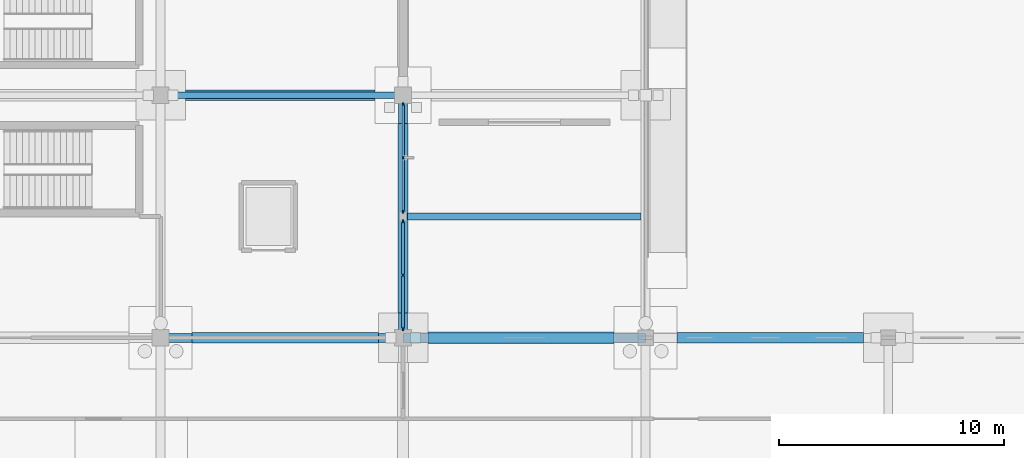
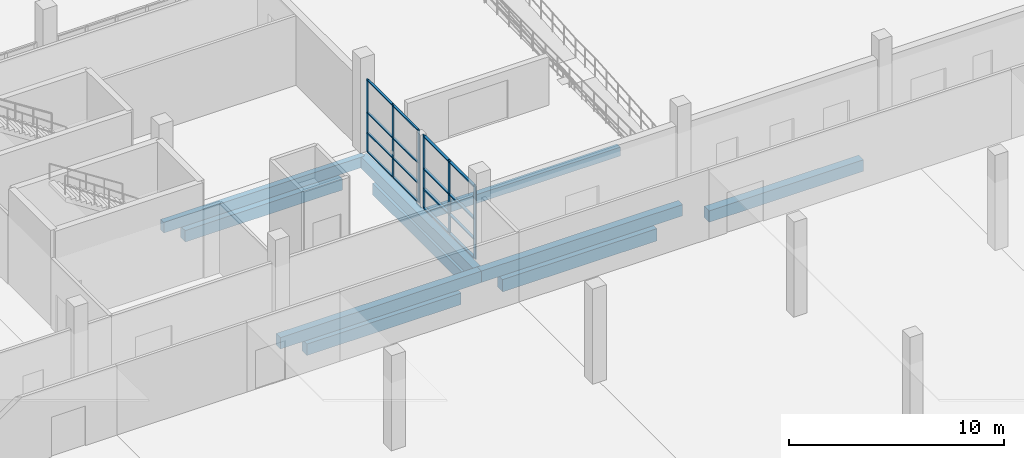
# One storey, part 65 of 138: 22 members, 10 beams, 2 elements without a shape of their own.
"""IFC4 building model written with IfcOpenShell, lengths in metres."""

import ifcopenshell
import ifcopenshell.guid

model = None  # the IFC model being written
_history = None  # IfcOwnerHistory: only IFC2X3 demands one
_inside = {}  # id of a spatial element -> (the spatial element, [elements in it])
_under = {}  # id of a project, library or spatial element -> (it, [spatial elements below it])
_declared = {}  # id of a project -> (the project, [libraries it declares])
_typed = {}  # id of a type object -> (the type object, [elements of that type])
_made_of = {}  # id of a material, layer set ... -> (it, [elements and type objects made of it])


def new_model(schema):
    """Start an empty IFC model of exactly this schema.

    Asked for "IFC4X3", IfcOpenShell would pick the latest addendum, in which some entities
    have other attributes; the version numbers below select the first issue.
    IFC2X3 requires an IfcOwnerHistory on every rooted entity: one is made here for all.
    """
    global model, _history
    if schema == "IFC4X3":
        model = ifcopenshell.file(schema_version=(4, 3, 0, 0))
    else:
        model = ifcopenshell.file(schema=schema)
    _inside.clear()
    _under.clear()
    _declared.clear()
    _typed.clear()
    _made_of.clear()
    _history = None
    if model.schema == "IFC2X3":
        org = make("IfcOrganization", Name="unknown")
        user = make(
            "IfcPersonAndOrganization",
            ThePerson=make("IfcPerson", FamilyName="unknown"),
            TheOrganization=org,
        )
        app = make(
            "IfcApplication",
            ApplicationDeveloper=org,
            Version="unknown",
            ApplicationFullName="unknown",
            ApplicationIdentifier="unknown",
        )
        _history = make(
            "IfcOwnerHistory",
            OwningUser=user,
            OwningApplication=app,
            ChangeAction="ADDED",
            CreationDate=0,
        )
    return model


def make(cls, **values):
    """One entity of the class cls with the attributes given. An attribute that is None is left unset."""
    return model.create_entity(
        cls, **{name: value for name, value in values.items() if value is not None}
    )


def rooted(cls, **values):
    """An entity with a GlobalId (a new one), such as an element, a storey or a relation."""
    return make(cls, GlobalId=ifcopenshell.guid.new(), OwnerHistory=_history, **values)


def si_unit(unit_type, name, prefix=None):
    """IfcSIUnit, for example si_unit("LENGTHUNIT", "METRE", prefix="MILLI")."""
    return make("IfcSIUnit", UnitType=unit_type, Prefix=prefix, Name=name)


def assignment(units):
    """IfcUnitAssignment: the units of a project."""
    return None if units is None else make("IfcUnitAssignment", Units=units)


def point(xyz):
    """IfcCartesianPoint."""
    return None if xyz is None else make("IfcCartesianPoint", Coordinates=xyz)


def direction(xyz):
    """IfcDirection."""
    return None if xyz is None else make("IfcDirection", DirectionRatios=xyz)


def frame(location, z_axis=None, x_axis=None):
    """IfcAxis2Placement3D, a coordinate frame: its origin and axes. An axis left out is left unset."""
    return make(
        "IfcAxis2Placement3D",
        Location=point(location),
        Axis=direction(z_axis),
        RefDirection=direction(x_axis),
    )


def frame_2d(location, x_axis=None):
    """IfcAxis2Placement2D, a coordinate frame in the plane: its origin and x axis."""
    return make(
        "IfcAxis2Placement2D", Location=point(location), RefDirection=direction(x_axis)
    )


def origin():
    """The frame at (0, 0, 0) with its axes left unset."""
    return frame((0.0, 0.0, 0.0))


def origin_2d():
    """The frame at (0, 0) in the plane with its x axis left unset."""
    return frame_2d((0.0, 0.0))


def place(relative_to, where):
    """IfcLocalPlacement: puts the frame where relative to a parent placement (None: the world)."""
    return make(
        "IfcLocalPlacement", PlacementRelTo=relative_to, RelativePlacement=where
    )


def context(
    kind, dimensions, precision=None, world=None, true_north=None, identifier=None
):
    """IfcGeometricRepresentationContext, for example the 3D "Model" context."""
    return make(
        "IfcGeometricRepresentationContext",
        ContextIdentifier=identifier,
        ContextType=kind,
        CoordinateSpaceDimension=dimensions,
        Precision=precision,
        WorldCoordinateSystem=world,
        TrueNorth=true_north,
    )


def subcontext(parent, identifier, kind, view, scale=None):
    """IfcGeometricRepresentationSubContext, for example "Body" below "Model"."""
    return make(
        "IfcGeometricRepresentationSubContext",
        ContextIdentifier=identifier,
        ContextType=kind,
        ParentContext=parent,
        TargetScale=scale,
        TargetView=view,
    )


def project(units=None, contexts=None):
    """IfcProject with its units and contexts."""
    return rooted(
        "IfcProject",
        Name="project",
        RepresentationContexts=contexts,
        UnitsInContext=assignment(units),
    )


def spatial(cls, under=None, at=None, **own):
    """A site, building, storey or space (cls), placed at a placement, below another one or the project."""
    s = rooted(cls, ObjectPlacement=at, **own)
    if under is not None:
        _under.setdefault(under.id(), (under, []))[1].append(s)
    return s


def profile(cls, at=None, kind="AREA", **sizes):
    """A parametric profile (cls). Its sizes go by their IFC names, for example OverallWidth=200.0."""
    return make(cls, ProfileType=kind, Position=at, **sizes)


def rectangle(**sizes):
    """IfcRectangleProfileDef."""
    return profile("IfcRectangleProfileDef", **sizes)


def extrude(swept, where, along, depth):
    """IfcExtrudedAreaSolid: the profile swept, set in the frame where, extruded along a direction by depth."""
    return make(
        "IfcExtrudedAreaSolid",
        SweptArea=swept,
        Position=where,
        ExtrudedDirection=direction(along),
        Depth=depth,
    )


def shape(context_of_items, identifier, shape_type, items):
    """IfcShapeRepresentation: the items that make up one representation, for example the "Body"."""
    return make(
        "IfcShapeRepresentation",
        ContextOfItems=context_of_items,
        RepresentationIdentifier=identifier,
        RepresentationType=shape_type,
        Items=items,
    )


def material(Name=None, Category=None):
    """IfcMaterial."""
    return make("IfcMaterial", Name=Name, Category=Category)


def material_profile(
    of_material, cross_section, Name=None, Category=None, Priority=None
):
    """IfcMaterialProfile: a cross section and its material."""
    return make(
        "IfcMaterialProfile",
        Name=Name,
        Material=of_material,
        Profile=cross_section,
        Priority=Priority,
        Category=Category,
    )


def profile_set(profiles, Name=None, composite=None):
    """IfcMaterialProfileSet."""
    return make(
        "IfcMaterialProfileSet",
        Name=Name,
        MaterialProfiles=profiles,
        CompositeProfile=composite,
    )


def made_of(thing, what):
    """Note that an element or type object is made of a material, layer set ...; save() writes the relation."""
    if what is not None:
        _made_of.setdefault(what.id(), (what, []))[1].append(thing)
    return thing


def type_object(cls, material=None, **own):
    """A type object (cls), such as IfcWallType, which elements share."""
    return made_of(rooted(cls, **own), material)


def element(
    cls,
    number,
    at=None,
    inside=None,
    cuts=None,
    type_object=None,
    material=None,
    context=None,
    identifier="Body",
    shape_type=None,
    held_by="IfcProductDefinitionShape",
    body=None,
    shapes=None,
    **own,
):
    """One element of the class cls, such as IfcWall. Its Tag is "e" and its number.

    at: its placement. inside: the storey or other place that contains it. cuts: it is an
    opening in that element (IfcRelVoidsElement). A single representation is given by context,
    identifier, shape_type and body (its items); several are given by shapes. held_by: the class
    of the entity that holds the representations. save() writes the other relations.
    """
    e = rooted(cls, Tag="e%d" % number, ObjectPlacement=at, **own)
    if body is not None:
        shapes = [shape(context, identifier, shape_type, body)]
    if shapes is not None:
        e.Representation = make(held_by, Representations=shapes)
    if inside is not None:
        _inside.setdefault(inside.id(), (inside, []))[1].append(e)
    if cuts is not None:
        rooted(
            "IfcRelVoidsElement", RelatingBuildingElement=cuts, RelatedOpeningElement=e
        )
    if type_object is not None:
        _typed.setdefault(type_object.id(), (type_object, []))[1].append(e)
    return made_of(e, material)


def aggregate(whole, parts):
    """IfcRelAggregates: a whole, such as a stair, and the parts it consists of."""
    return rooted("IfcRelAggregates", RelatingObject=whole, RelatedObjects=parts)


def save(model, path):
    """Write the relations noted so far, then the file.

    IfcRelAggregates (storeys below a building ...), IfcRelContainedInSpatialStructure (elements
    in a storey), IfcRelDefinesByType, IfcRelAssociatesMaterial and IfcRelDeclares: one each for
    every whole, place, type object, material and project.
    """
    for whole, parts in _under.values():
        aggregate(whole, parts)
    for where, things in _inside.values():
        rooted(
            "IfcRelContainedInSpatialStructure",
            RelatedElements=things,
            RelatingStructure=where,
        )
    for kind, things in _typed.values():
        rooted("IfcRelDefinesByType", RelatedObjects=things, RelatingType=kind)
    for what, things in _made_of.values():
        rooted("IfcRelAssociatesMaterial", RelatedObjects=things, RelatingMaterial=what)
    for by, libraries in _declared.values():
        rooted("IfcRelDeclares", RelatingContext=by, RelatedDefinitions=libraries)
    model.write(path)


model = new_model("IFC4")

# Units and contexts
model_context = context("Model", 3, precision=1e-05, world=origin(), true_north=direction((0.0, 1.0)))
body_context = subcontext(model_context, "Body", "Model", "MODEL_VIEW")
ifc_project = project(units=[si_unit("LENGTHUNIT", "METRE"), si_unit("AREAUNIT", "SQUARE_METRE"), si_unit("VOLUMEUNIT", "CUBIC_METRE"), si_unit("PLANEANGLEUNIT", "RADIAN"), si_unit("MASSUNIT", "GRAM", prefix="KILO")], contexts=[model_context])

# Site, building, storey
site_placement = place(None, origin())
site = spatial("IfcSite", under=ifc_project, at=site_placement, CompositionType="ELEMENT")
building_placement = place(site_placement, origin())
building = spatial("IfcBuilding", under=site, at=building_placement, Name="Zwinboog Wholesale Market", CompositionType="ELEMENT")
storey_placement = place(building_placement, origin())
storey = spatial("IfcBuildingStorey", under=building, at=storey_placement, Name="L00", CompositionType="ELEMENT", Elevation=0.0)

# Beams
ifc_material_1 = material(Name="Precast concrete C45/55", Category="concrete")
ifc_material_profile_1 = material_profile(ifc_material_1, rectangle(XDim=0.39990234375, YDim=0.64990234375, at=origin_2d()), Name="PC 400x650")
ifc_profile_set_1 = profile_set([ifc_material_profile_1], Name="Precast concrete C45/55")
beam_type_1 = type_object("IfcBeamType", Name="BT-05", PredefinedType="BEAM", material=ifc_profile_set_1)
for number, where, z_axis, x_axis, name in (
    (1, (162.0, 32.39990234375, -0.680908203125), (1.0, 0.0, 0.0), (0.0, 1.0, 0.0), "BG-05 (BMG-L00-1620-0324-0050)"),
    (2, (172.800048828125, 32.39990234375, -0.680908203125), (1.0, 0.0, 0.0), (0.0, 1.0, 0.0), "BG-05 (BMG-L00-1728-0324-0051)"),
    (3, (172.800048828125, 32.39990234375, -0.719970703125), (0.0, 1.0, 0.0), (-1.0, 0.0, 0.0), "BG-05 (BMG-L00-1728-0324-0380)"),
):
    element("IfcBeam", number, at=place(storey_placement, frame(where, z_axis=z_axis, x_axis=x_axis)), inside=storey, type_object=beam_type_1, Name=name, PredefinedType="BEAM", context=body_context, shape_type="SweptSolid", body=[
        extrude(rectangle(XDim=0.39990234375, YDim=0.64990234375, at=origin_2d()), origin(), (0.0, 0.0, 1.0), 10.800048828125),
    ])
ifc_material_profile_2 = material_profile(ifc_material_1, rectangle(XDim=0.300048828125, YDim=0.60009765625, at=origin_2d()), Name="PC 300x600")
ifc_profile_set_2 = profile_set([ifc_material_profile_2], Name="Precast concrete C45/55")
beam_type_2 = type_object("IfcBeamType", Name="BT-09", PredefinedType="SPANDREL", material=ifc_profile_set_2)
beam_1_placement = place(storey_placement, frame((162.0, 43.199951171875, -0.695068359375), z_axis=(1.0, 0.0, 0.0), x_axis=(0.0, 1.0, 0.0)))
element("IfcBeam", 4, at=beam_1_placement, inside=storey, type_object=beam_type_2, Name="SP-02 (BMG-L00-1620-0432-0068)", PredefinedType="SPANDREL", context=body_context, shape_type="SweptSolid", body=[
    extrude(rectangle(XDim=0.300048828125, YDim=0.60009765625, at=origin_2d()), origin(), (0.0, 0.0, 1.0), 10.800048828125),
])
ifc_material_profile_3 = material_profile(ifc_material_1, rectangle(XDim=0.300048828125, YDim=0.5, at=origin_2d()), Name="PC 300x500")
ifc_profile_set_3 = profile_set([ifc_material_profile_3], Name="Precast concrete C45/55")
beam_type_3 = type_object("IfcBeamType", Name="BT-10", PredefinedType="JOIST", material=ifc_profile_set_3)
beam_2_placement = place(storey_placement, frame((173.0, 37.800048828125, -0.5849609375), z_axis=(1.0, 0.0, 0.0), x_axis=(0.0, 1.0, 0.0)))
element("IfcBeam", 5, at=beam_2_placement, inside=storey, type_object=beam_type_3, Name="BJ-01 (BM-TER-L00-0040)", PredefinedType="JOIST", context=body_context, shape_type="SweptSolid", body=[
    extrude(rectangle(XDim=0.300048828125, YDim=0.5, at=origin_2d()), origin(), (0.0, 0.0, 1.0), 10.39990234375),
])
ifc_material_2 = material(Name="Concrete C35/45", Category="concrete")
ifc_material_profile_4 = material_profile(ifc_material_2, rectangle(XDim=0.5, YDim=0.699951171875, at=origin_2d()), Name="RC 500x700")
ifc_profile_set_4 = profile_set([ifc_material_profile_4], Name="Concrete C35/45")
beam_type_4 = type_object("IfcBeamType", Name="BT-12", PredefinedType="USERDEFINED", material=ifc_profile_set_4)
beam_3_placement = place(storey_placement, frame((173.905029296875, 32.39990234375, -1.550048828125), z_axis=(1.0, 0.0, 0.0), x_axis=(0.0, 1.0, 0.0)))
element("IfcBeam", 6, at=beam_3_placement, inside=storey, type_object=beam_type_4, Name="GB-01 (BM-GB-0029)", ObjectType="GROUND_BEAM", PredefinedType="USERDEFINED", context=body_context, shape_type="SweptSolid", body=[
    extrude(rectangle(XDim=0.5, YDim=0.699951171875, at=origin_2d()), origin(), (0.0, 0.0, 1.0), 8.2900390625),
])
ifc_material_profile_5 = material_profile(ifc_material_2, rectangle(XDim=0.449951171875, YDim=0.64990234375, at=origin_2d()), Name="RC 450x650")
ifc_profile_set_5 = profile_set([ifc_material_profile_5], Name="Concrete C35/45")
beam_type_5 = type_object("IfcBeamType", Name="BT-13", PredefinedType="USERDEFINED", material=ifc_profile_set_5)
for number, where, z_axis, x_axis, name in (
    (7, (163.405029296875, 32.39990234375, -1.52490234375), (1.0, 0.0, 0.0), (0.0, 1.0, 0.0), "GB-02 (BM-GB-0028)"),
    (8, (185.0048828125, 32.39990234375, -1.52490234375), (1.0, 0.0, 0.0), (0.0, 1.0, 0.0), "GB-02 (BM-GB-0030)"),
):
    element("IfcBeam", number, at=place(storey_placement, frame(where, z_axis=z_axis, x_axis=x_axis)), inside=storey, type_object=beam_type_5, Name=name, ObjectType="GROUND_BEAM", PredefinedType="USERDEFINED", context=body_context, shape_type="SweptSolid", body=[
        extrude(rectangle(XDim=0.449951171875, YDim=0.64990234375, at=origin_2d()), origin(), (0.0, 0.0, 1.0), 8.2900390625),
    ])
beam_4_placement = place(storey_placement, frame((163.10498046875, 43.199951171875, -1.52490234375), z_axis=(1.0, 0.0, 0.0), x_axis=(0.0, 1.0, 0.0)))
element("IfcBeam", 9, at=beam_4_placement, inside=storey, type_object=beam_type_5, Name="GB-02 (BM-GB-0048)", ObjectType="GROUND_BEAM", PredefinedType="USERDEFINED", context=body_context, shape_type="SweptSolid", body=[
    extrude(rectangle(XDim=0.449951171875, YDim=0.64990234375, at=origin_2d()), origin(), (0.0, 0.0, 1.0), 8.43994140625),
])
beam_5_placement = place(storey_placement, frame((172.800048828125, 33.5048828125, -1.52490234375), z_axis=(0.0, 1.0, 0.0), x_axis=(-1.0, 0.0, 0.0)))
element("IfcBeam", 10, at=beam_5_placement, inside=storey, type_object=beam_type_5, Name="GB-02 (BM-GB-0199)", ObjectType="GROUND_BEAM", PredefinedType="USERDEFINED", context=body_context, shape_type="SweptSolid", body=[
    extrude(rectangle(XDim=0.449951171875, YDim=0.64990234375, at=origin_2d()), origin(), (0.0, 0.0, 1.0), 8.440185546875),
])

# Curtain wall, members
ifc_material_3 = material(Name="Aluminium thermally broken curtain wall", Category="aluminium")
curtain_wall_type_1 = type_object("IfcCurtainWallType", Name="CWT-CAFE-22", PredefinedType="USERDEFINED", material=ifc_material_3)
curtain_wall_1_placement = place(storey_placement, origin())
curtain_wall_1 = element("IfcCurtainWall", 11, at=curtain_wall_1_placement, inside=storey, type_object=curtain_wall_type_1, Name="CW-05 (CW-L00-047)", ObjectType="STOREFRONT_GLAZING", PredefinedType="USERDEFINED")
ifc_material_4 = material(Name="Aluminium EN AW-6060", Category="aluminium")
ifc_material_profile_6 = material_profile(ifc_material_4, rectangle(XDim=0.06494140625, YDim=0.179931640625, at=origin_2d()), Name="AL 65x180")
ifc_profile_set_6 = profile_set([ifc_material_profile_6], Name="Aluminium EN AW-6060")
member_type_1 = type_object("IfcMemberType", Name="CWM-65x180", PredefinedType="MULLION", material=ifc_profile_set_6)
member_1_placement = place(storey_placement, frame((172.800048828125, 32.802490234375, 0.0), z_axis=(0.0, 0.0, 1.0), x_axis=(-1.0, 0.0, 0.0)))
member_1 = element("IfcMember", 12, at=member_1_placement, type_object=member_type_1, Name="CW-05 mullion 1", PredefinedType="MULLION", context=body_context, shape_type="SweptSolid", body=[
    extrude(rectangle(XDim=0.06494140625, YDim=0.179931640625, at=origin_2d()), origin(), (0.0, 0.0, 1.0), 4.125),
])
member_2_placement = place(storey_placement, frame((172.800048828125, 35.18505859375, 0.0), z_axis=(0.0, 0.0, 1.0), x_axis=(-1.0, 0.0, 0.0)))
member_2 = element("IfcMember", 13, at=member_2_placement, type_object=member_type_1, Name="CW-05 mullion 2", PredefinedType="MULLION", context=body_context, shape_type="SweptSolid", body=[
    extrude(rectangle(XDim=0.06494140625, YDim=0.179931640625, at=origin_2d()), origin(), (0.0, 0.0, 1.0), 4.125),
])
member_3_placement = place(storey_placement, frame((172.800048828125, 37.5673828125, 0.0), z_axis=(0.0, 0.0, 1.0), x_axis=(-1.0, 0.0, 0.0)))
member_3 = element("IfcMember", 14, at=member_3_placement, type_object=member_type_1, Name="CW-05 mullion 3", PredefinedType="MULLION", context=body_context, shape_type="SweptSolid", body=[
    extrude(rectangle(XDim=0.06494140625, YDim=0.179931640625, at=origin_2d()), origin(), (0.0, 0.0, 1.0), 4.125),
])

curtain_wall_type_2 = type_object("IfcCurtainWallType", Name="CWT-OFF-15", PredefinedType="USERDEFINED", material=ifc_material_3)
curtain_wall_2_placement = place(storey_placement, origin())
curtain_wall_2 = element("IfcCurtainWall", 15, at=curtain_wall_2_placement, inside=storey, type_object=curtain_wall_type_2, Name="CW-06 (CW-L00-048)", ObjectType="UNITIZED_CURTAIN_WALL", PredefinedType="USERDEFINED")
ifc_material_profile_7 = material_profile(ifc_material_4, rectangle(XDim=0.06005859375, YDim=0.14990234375, at=origin_2d()), Name="AL 60x150")
ifc_profile_set_7 = profile_set([ifc_material_profile_7], Name="Aluminium EN AW-6060")
member_type_2 = type_object("IfcMemberType", Name="CWM-60x150", PredefinedType="MULLION", material=ifc_profile_set_7)
member_4_placement = place(storey_placement, frame((172.800048828125, 38.030029296875, 0.0), z_axis=(0.0, 0.0, 1.0), x_axis=(-1.0, 0.0, 0.0)))
member_4 = element("IfcMember", 16, at=member_4_placement, type_object=member_type_2, Name="CW-06 mullion 1", PredefinedType="MULLION", context=body_context, shape_type="SweptSolid", body=[
    extrude(rectangle(XDim=0.06005859375, YDim=0.14990234375, at=origin_2d()), origin(), (0.0, 0.0, 1.0), 4.125),
])
member_5_placement = place(storey_placement, frame((172.800048828125, 40.4150390625, 0.0), z_axis=(0.0, 0.0, 1.0), x_axis=(-1.0, 0.0, 0.0)))
member_5 = element("IfcMember", 17, at=member_5_placement, type_object=member_type_2, Name="CW-06 mullion 2", PredefinedType="MULLION", context=body_context, shape_type="SweptSolid", body=[
    extrude(rectangle(XDim=0.06005859375, YDim=0.14990234375, at=origin_2d()), origin(), (0.0, 0.0, 1.0), 4.125),
])
member_6_placement = place(storey_placement, frame((172.800048828125, 42.800048828125, 0.0), z_axis=(0.0, 0.0, 1.0), x_axis=(-1.0, 0.0, 0.0)))
member_6 = element("IfcMember", 18, at=member_6_placement, type_object=member_type_2, Name="CW-06 mullion 3", PredefinedType="MULLION", context=body_context, shape_type="SweptSolid", body=[
    extrude(rectangle(XDim=0.06005859375, YDim=0.14990234375, at=origin_2d()), origin(), (0.0, 0.0, 1.0), 4.125),
])

# Member
ifc_material_profile_8 = material_profile(ifc_material_4, rectangle(XDim=0.139892578125, YDim=0.06494140625, at=origin_2d()), Name="AL 65x140")
ifc_profile_set_8 = profile_set([ifc_material_profile_8], Name="Aluminium EN AW-6060")
member_type_3 = type_object("IfcMemberType", Name="CWT-65x140", PredefinedType="USERDEFINED", material=ifc_profile_set_8)
member_7_placement = place(storey_placement, frame((172.800048828125, 32.8349609375, 0.032470703125), z_axis=(0.0, 1.0, 0.0), x_axis=(-1.0, 0.0, 0.0)))
member_7 = element("IfcMember", 19, at=member_7_placement, type_object=member_type_3, Name="CW-05 transom 1.1", ObjectType="TRANSOM", PredefinedType="USERDEFINED", context=body_context, shape_type="SweptSolid", body=[
    extrude(rectangle(XDim=0.139892578125, YDim=0.06494140625, at=origin_2d()), origin(), (0.0, 0.0, 1.0), 2.317626953125),
])

member_8_placement = place(storey_placement, frame((172.800048828125, 32.8349609375, 1.10009765625), z_axis=(0.0, 1.0, 0.0), x_axis=(-1.0, 0.0, 0.0)))
member_8 = element("IfcMember", 20, at=member_8_placement, type_object=member_type_3, Name="CW-05 transom 1.2", ObjectType="TRANSOM", PredefinedType="USERDEFINED", context=body_context, shape_type="SweptSolid", body=[
    extrude(rectangle(XDim=0.139892578125, YDim=0.06494140625, at=origin_2d()), origin(), (0.0, 0.0, 1.0), 2.317626953125),
])

member_9_placement = place(storey_placement, frame((172.800048828125, 32.8349609375, 2.25), z_axis=(0.0, 1.0, 0.0), x_axis=(-1.0, 0.0, 0.0)))
member_9 = element("IfcMember", 21, at=member_9_placement, type_object=member_type_3, Name="CW-05 transom 1.3", ObjectType="TRANSOM", PredefinedType="USERDEFINED", context=body_context, shape_type="SweptSolid", body=[
    extrude(rectangle(XDim=0.139892578125, YDim=0.06494140625, at=origin_2d()), origin(), (0.0, 0.0, 1.0), 2.317626953125),
])

member_10_placement = place(storey_placement, frame((172.800048828125, 32.8349609375, 4.092529296875), z_axis=(0.0, 1.0, 0.0), x_axis=(-1.0, 0.0, 0.0)))
member_10 = element("IfcMember", 22, at=member_10_placement, type_object=member_type_3, Name="CW-05 transom 1.4", ObjectType="TRANSOM", PredefinedType="USERDEFINED", context=body_context, shape_type="SweptSolid", body=[
    extrude(rectangle(XDim=0.139892578125, YDim=0.06494140625, at=origin_2d()), origin(), (0.0, 0.0, 1.0), 2.317626953125),
])

member_11_placement = place(storey_placement, frame((172.800048828125, 35.217529296875, 0.032470703125), z_axis=(0.0, 1.0, 0.0), x_axis=(-1.0, 0.0, 0.0)))
member_11 = element("IfcMember", 23, at=member_11_placement, type_object=member_type_3, Name="CW-05 transom 2.1", ObjectType="TRANSOM", PredefinedType="USERDEFINED", context=body_context, shape_type="SweptSolid", body=[
    extrude(rectangle(XDim=0.139892578125, YDim=0.06494140625, at=origin_2d()), origin(), (0.0, 0.0, 1.0), 2.3173828125),
])

member_12_placement = place(storey_placement, frame((172.800048828125, 35.217529296875, 1.10009765625), z_axis=(0.0, 1.0, 0.0), x_axis=(-1.0, 0.0, 0.0)))
member_12 = element("IfcMember", 24, at=member_12_placement, type_object=member_type_3, Name="CW-05 transom 2.2", ObjectType="TRANSOM", PredefinedType="USERDEFINED", context=body_context, shape_type="SweptSolid", body=[
    extrude(rectangle(XDim=0.139892578125, YDim=0.06494140625, at=origin_2d()), origin(), (0.0, 0.0, 1.0), 2.3173828125),
])

member_13_placement = place(storey_placement, frame((172.800048828125, 35.217529296875, 2.25), z_axis=(0.0, 1.0, 0.0), x_axis=(-1.0, 0.0, 0.0)))
member_13 = element("IfcMember", 25, at=member_13_placement, type_object=member_type_3, Name="CW-05 transom 2.3", ObjectType="TRANSOM", PredefinedType="USERDEFINED", context=body_context, shape_type="SweptSolid", body=[
    extrude(rectangle(XDim=0.139892578125, YDim=0.06494140625, at=origin_2d()), origin(), (0.0, 0.0, 1.0), 2.3173828125),
])

member_14_placement = place(storey_placement, frame((172.800048828125, 35.217529296875, 4.092529296875), z_axis=(0.0, 1.0, 0.0), x_axis=(-1.0, 0.0, 0.0)))
member_14 = element("IfcMember", 26, at=member_14_placement, type_object=member_type_3, Name="CW-05 transom 2.4", ObjectType="TRANSOM", PredefinedType="USERDEFINED", context=body_context, shape_type="SweptSolid", body=[
    extrude(rectangle(XDim=0.139892578125, YDim=0.06494140625, at=origin_2d()), origin(), (0.0, 0.0, 1.0), 2.3173828125),
])

aggregate(curtain_wall_1, [member_1, member_2, member_3, member_7, member_8, member_9, member_10, member_11, member_12, member_13, member_14])

ifc_material_profile_9 = material_profile(ifc_material_4, rectangle(XDim=0.110107421875, YDim=0.06005859375, at=origin_2d()), Name="AL 60x110")
ifc_profile_set_9 = profile_set([ifc_material_profile_9], Name="Aluminium EN AW-6060")
member_type_4 = type_object("IfcMemberType", Name="CWT-60x110", PredefinedType="USERDEFINED", material=ifc_profile_set_9)
member_15_placement = place(storey_placement, frame((172.800048828125, 38.06005859375, 0.030029296875), z_axis=(0.0, 1.0, 0.0), x_axis=(-1.0, 0.0, 0.0)))
member_15 = element("IfcMember", 27, at=member_15_placement, type_object=member_type_4, Name="CW-06 transom 1.1", ObjectType="TRANSOM", PredefinedType="USERDEFINED", context=body_context, shape_type="SweptSolid", body=[
    extrude(rectangle(XDim=0.110107421875, YDim=0.06005859375, at=origin_2d()), origin(), (0.0, 0.0, 1.0), 2.324951171875),
])

member_16_placement = place(storey_placement, frame((172.800048828125, 38.06005859375, 1.10009765625), z_axis=(0.0, 1.0, 0.0), x_axis=(-1.0, 0.0, 0.0)))
member_16 = element("IfcMember", 28, at=member_16_placement, type_object=member_type_4, Name="CW-06 transom 1.2", ObjectType="TRANSOM", PredefinedType="USERDEFINED", context=body_context, shape_type="SweptSolid", body=[
    extrude(rectangle(XDim=0.110107421875, YDim=0.06005859375, at=origin_2d()), origin(), (0.0, 0.0, 1.0), 2.324951171875),
])

member_17_placement = place(storey_placement, frame((172.800048828125, 38.06005859375, 2.25), z_axis=(0.0, 1.0, 0.0), x_axis=(-1.0, 0.0, 0.0)))
member_17 = element("IfcMember", 29, at=member_17_placement, type_object=member_type_4, Name="CW-06 transom 1.3", ObjectType="TRANSOM", PredefinedType="USERDEFINED", context=body_context, shape_type="SweptSolid", body=[
    extrude(rectangle(XDim=0.110107421875, YDim=0.06005859375, at=origin_2d()), origin(), (0.0, 0.0, 1.0), 2.324951171875),
])

member_18_placement = place(storey_placement, frame((172.800048828125, 38.06005859375, 4.094970703125), z_axis=(0.0, 1.0, 0.0), x_axis=(-1.0, 0.0, 0.0)))
member_18 = element("IfcMember", 30, at=member_18_placement, type_object=member_type_4, Name="CW-06 transom 1.4", ObjectType="TRANSOM", PredefinedType="USERDEFINED", context=body_context, shape_type="SweptSolid", body=[
    extrude(rectangle(XDim=0.110107421875, YDim=0.06005859375, at=origin_2d()), origin(), (0.0, 0.0, 1.0), 2.324951171875),
])

member_19_placement = place(storey_placement, frame((172.800048828125, 40.445068359375, 0.030029296875), z_axis=(0.0, 1.0, 0.0), x_axis=(-1.0, 0.0, 0.0)))
member_19 = element("IfcMember", 31, at=member_19_placement, type_object=member_type_4, Name="CW-06 transom 2.1", ObjectType="TRANSOM", PredefinedType="USERDEFINED", context=body_context, shape_type="SweptSolid", body=[
    extrude(rectangle(XDim=0.110107421875, YDim=0.06005859375, at=origin_2d()), origin(), (0.0, 0.0, 1.0), 2.324951171875),
])

member_20_placement = place(storey_placement, frame((172.800048828125, 40.445068359375, 1.10009765625), z_axis=(0.0, 1.0, 0.0), x_axis=(-1.0, 0.0, 0.0)))
member_20 = element("IfcMember", 32, at=member_20_placement, type_object=member_type_4, Name="CW-06 transom 2.2", ObjectType="TRANSOM", PredefinedType="USERDEFINED", context=body_context, shape_type="SweptSolid", body=[
    extrude(rectangle(XDim=0.110107421875, YDim=0.06005859375, at=origin_2d()), origin(), (0.0, 0.0, 1.0), 2.324951171875),
])

member_21_placement = place(storey_placement, frame((172.800048828125, 40.445068359375, 2.25), z_axis=(0.0, 1.0, 0.0), x_axis=(-1.0, 0.0, 0.0)))
member_21 = element("IfcMember", 33, at=member_21_placement, type_object=member_type_4, Name="CW-06 transom 2.3", ObjectType="TRANSOM", PredefinedType="USERDEFINED", context=body_context, shape_type="SweptSolid", body=[
    extrude(rectangle(XDim=0.110107421875, YDim=0.06005859375, at=origin_2d()), origin(), (0.0, 0.0, 1.0), 2.324951171875),
])

member_22_placement = place(storey_placement, frame((172.800048828125, 40.445068359375, 4.094970703125), z_axis=(0.0, 1.0, 0.0), x_axis=(-1.0, 0.0, 0.0)))
member_22 = element("IfcMember", 34, at=member_22_placement, type_object=member_type_4, Name="CW-06 transom 2.4", ObjectType="TRANSOM", PredefinedType="USERDEFINED", context=body_context, shape_type="SweptSolid", body=[
    extrude(rectangle(XDim=0.110107421875, YDim=0.06005859375, at=origin_2d()), origin(), (0.0, 0.0, 1.0), 2.324951171875),
])

aggregate(curtain_wall_2, [member_4, member_5, member_6, member_15, member_16, member_17, member_18, member_19, member_20, member_21, member_22])

save(model, "model.ifc")
